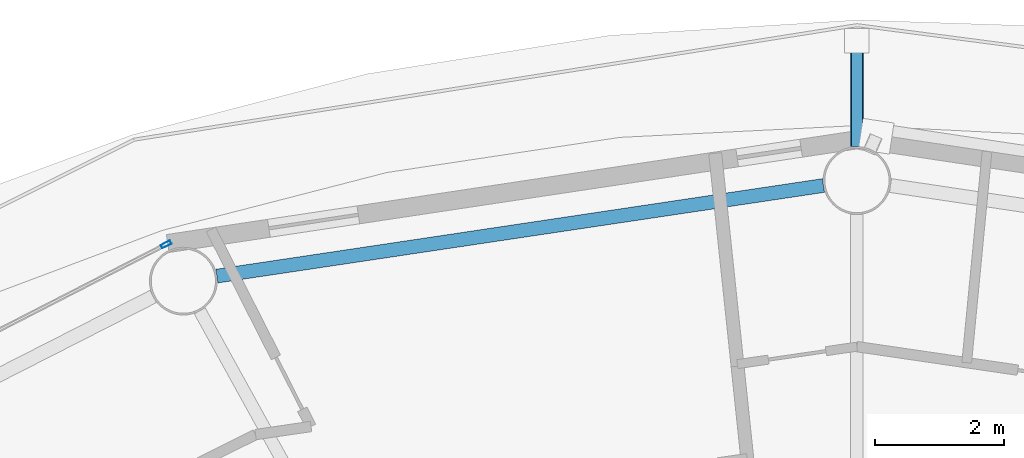
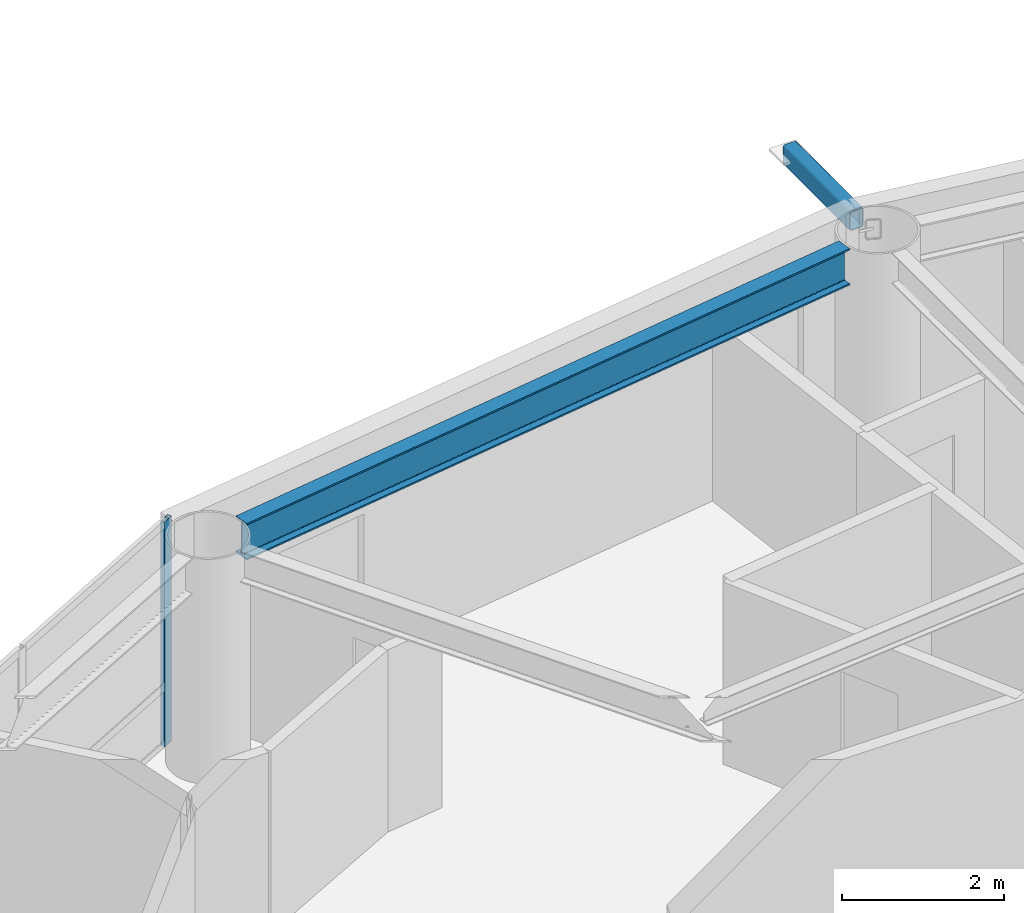
# One storey, part 13 of 29: 2 members, 1 beam, 1 element without a shape of its own.
"""IFC4 building model written with IfcOpenShell, lengths in metres."""

from ifc_helpers import new_model, si_unit, direction, frame, origin, origin_2d, place, context, subcontext, project, spatial, hollow_rectangle, i_section, extrude, material, layer, layer_set, material_profile, profile_set, type_object, element, aggregate, save


model = new_model("IFC4")

# Units and contexts
model_context = context("Model", 3, precision=1e-05, world=origin(), true_north=direction((0.0, 1.0)))
body_context = subcontext(model_context, "Body", "Model", "MODEL_VIEW")
ifc_project = project(units=[si_unit("LENGTHUNIT", "METRE"), si_unit("AREAUNIT", "SQUARE_METRE"), si_unit("VOLUMEUNIT", "CUBIC_METRE"), si_unit("PLANEANGLEUNIT", "RADIAN"), si_unit("MASSUNIT", "GRAM", prefix="KILO")], contexts=[model_context])

# Site, building, storey
site_placement = place(None, origin())
site = spatial("IfcSite", under=ifc_project, at=site_placement, CompositionType="ELEMENT")
building_placement = place(site_placement, origin())
building = spatial("IfcBuilding", under=site, at=building_placement, Name="Sarneth Arch Tower", CompositionType="ELEMENT")
storey_placement = place(building_placement, frame((0.0, 0.0, 175.800048828125)))
storey = spatial("IfcBuildingStorey", under=building, at=storey_placement, Name="L44", CompositionType="ELEMENT", Elevation=175.800048828125)

# Beam
ifc_material_1 = material(Name="Steel S355", Category="steel")
ifc_material_profile_1 = material_profile(ifc_material_1, i_section(OverallWidth=0.214111328125, OverallDepth=0.549072265625, WebThickness=0.0146484375, FlangeThickness=0.023681640625, FilletRadius=0.01806640625, at=origin_2d()), Name="W530x138")
ifc_profile_set_1 = profile_set([ifc_material_profile_1], Name="Steel S355")
beam_type = type_object("IfcBeamType", Name="BM-RAD-530A", PredefinedType="BEAM", material=ifc_profile_set_1)
beam_placement = place(storey_placement, frame((47.480712890625, 62.37255859375, 3.10546875), z_axis=(-0.989027145133, -0.14773390332, 0.0), x_axis=(0.14773390332, -0.989027145133, 0.0)))
element("IfcBeam", 1, at=beam_placement, inside=storey, type_object=beam_type, Name="L44 Perimeter spandrel beam 05", PredefinedType="BEAM", context=body_context, shape_type="SweptSolid", body=[
    extrude(i_section(OverallWidth=0.214111328125, OverallDepth=0.549072265625, WebThickness=0.0146484375, FlangeThickness=0.023681640625, FilletRadius=0.01806640625, at=origin_2d()), origin(), (0.0, 0.0, 1.0), 9.4873046875),
])

# Curtain wall, member
ifc_material_2 = material(Name="Anodised aluminium Type AA25 and solar-control low-e laminated IGU", Category="aluminium")
ifc_layer = layer(ifc_material_2, 0.169921875)
ifc_layer_set = layer_set([ifc_layer], Name="Anodised aluminium Type AA25 and solar-control low-e laminated IGU")
curtain_wall_type = type_object("IfcCurtainWallType", Name="CW-RES-MID", PredefinedType="NOTDEFINED", material=ifc_layer_set)
curtain_wall_placement = place(storey_placement, origin())
curtain_wall = element("IfcCurtainWall", 2, at=curtain_wall_placement, inside=storey, type_object=curtain_wall_type, Name="L44 Unitised curtain wall facet 06", PredefinedType="NOTDEFINED")
ifc_material_3 = material(Name="Anodised Aluminium 6063-T6", Category="aluminium")
ifc_material_profile_2 = material_profile(ifc_material_3, hollow_rectangle(XDim=0.06005859375, YDim=0.159912109375, WallThickness=0.00390625, at=origin_2d()), Name="AL-MULL-160x60x4")
ifc_profile_set_2 = profile_set([ifc_material_profile_2], Name="Anodised Aluminium 6063-T6")
member_type_1 = type_object("IfcMemberType", Name="CW-MULLION", PredefinedType="MULLION", material=ifc_profile_set_2)
member_1_placement = place(storey_placement, frame((37.310546875, 61.461669921875, 0.0), z_axis=(0.0, 0.0, 1.0), x_axis=(0.456208470329, -0.88987293003, 0.0)))
member_1 = element("IfcMember", 3, at=member_1_placement, type_object=member_type_1, Name="CW-SYS-5 mullion 1", PredefinedType="MULLION", context=body_context, shape_type="SweptSolid", body=[
    extrude(hollow_rectangle(XDim=0.06005859375, YDim=0.159912109375, WallThickness=0.00390625, at=origin_2d()), origin(), (0.0, 0.0, 1.0), 3.3798828125),
])
aggregate(curtain_wall, [member_1])

# Member
ifc_material_4 = material(Name="Steel S355", Category="steel")
ifc_material_profile_3 = material_profile(ifc_material_4, hollow_rectangle(XDim=0.199951171875, YDim=0.300048828125, WallThickness=0.012451171875, InnerFilletRadius=0.018798828125, OuterFilletRadius=0.03125, at=origin_2d()), Name="RHS300x200x12.5")
ifc_profile_set_3 = profile_set([ifc_material_profile_3], Name="Steel S355")
member_type_2 = type_object("IfcMemberType", Name="MEM-CANT-STRUT", PredefinedType="STRUT", material=ifc_profile_set_3)
member_2_placement = place(storey_placement, frame((48.0, 62.97509765625, 3.219970703125), z_axis=(0.0, 1.0, 0.0), x_axis=(-1.0, 0.0, 0.0)))
element("IfcMember", 4, at=member_2_placement, inside=storey, type_object=member_type_2, Name="L44 Balcony cantilever bracket 05", PredefinedType="STRUT", context=body_context, shape_type="SweptSolid", body=[
    extrude(hollow_rectangle(XDim=0.199951171875, YDim=0.300048828125, WallThickness=0.012451171875, InnerFilletRadius=0.018798828125, OuterFilletRadius=0.03125, at=origin_2d()), origin(), (0.0, 0.0, 1.0), 1.63916015625),
])

save(model, "model.ifc")
